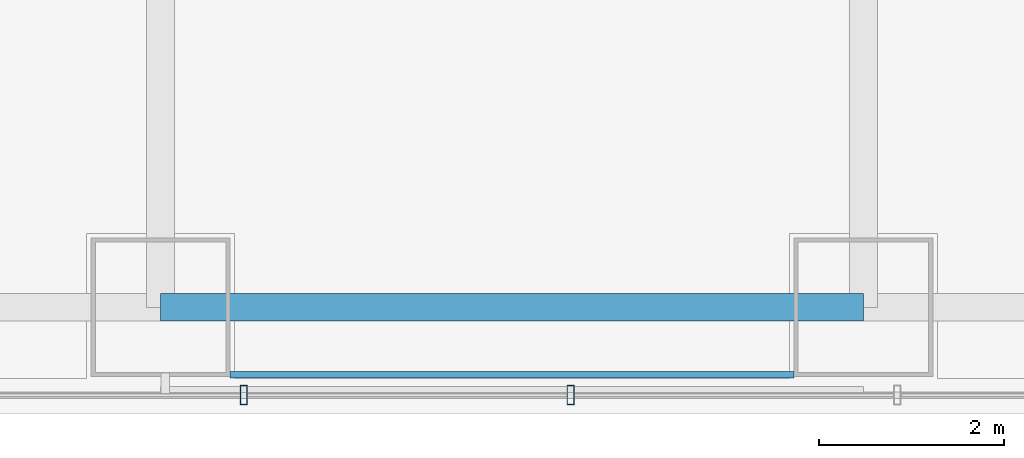
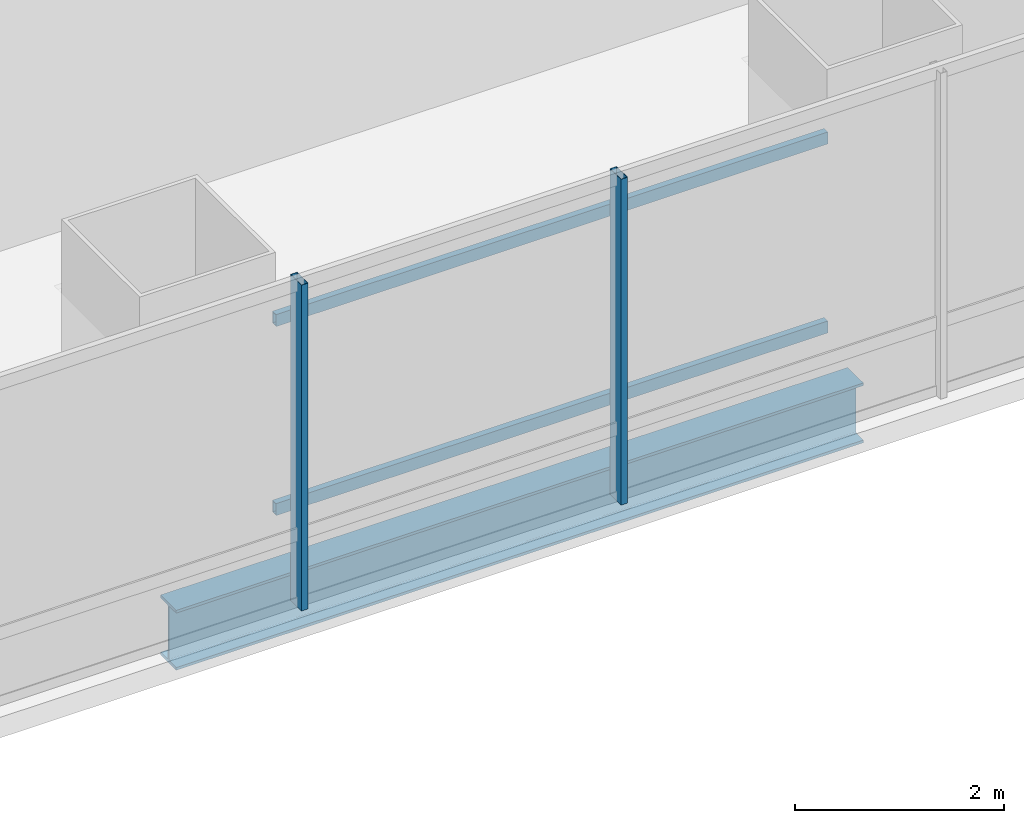
# One storey, part 5 of 34: 4 members, 1 beam, 1 element without a shape of its own.
"""IFC4 building model written with IfcOpenShell, lengths in metres."""

import ifcopenshell
import ifcopenshell.guid

model = None  # the IFC model being written
_history = None  # IfcOwnerHistory: only IFC2X3 demands one
_inside = {}  # id of a spatial element -> (the spatial element, [elements in it])
_under = {}  # id of a project, library or spatial element -> (it, [spatial elements below it])
_declared = {}  # id of a project -> (the project, [libraries it declares])
_typed = {}  # id of a type object -> (the type object, [elements of that type])
_made_of = {}  # id of a material, layer set ... -> (it, [elements and type objects made of it])


def new_model(schema):
    """Start an empty IFC model of exactly this schema.

    Asked for "IFC4X3", IfcOpenShell would pick the latest addendum, in which some entities
    have other attributes; the version numbers below select the first issue.
    IFC2X3 requires an IfcOwnerHistory on every rooted entity: one is made here for all.
    """
    global model, _history
    if schema == "IFC4X3":
        model = ifcopenshell.file(schema_version=(4, 3, 0, 0))
    else:
        model = ifcopenshell.file(schema=schema)
    _inside.clear()
    _under.clear()
    _declared.clear()
    _typed.clear()
    _made_of.clear()
    _history = None
    if model.schema == "IFC2X3":
        org = make("IfcOrganization", Name="unknown")
        user = make(
            "IfcPersonAndOrganization",
            ThePerson=make("IfcPerson", FamilyName="unknown"),
            TheOrganization=org,
        )
        app = make(
            "IfcApplication",
            ApplicationDeveloper=org,
            Version="unknown",
            ApplicationFullName="unknown",
            ApplicationIdentifier="unknown",
        )
        _history = make(
            "IfcOwnerHistory",
            OwningUser=user,
            OwningApplication=app,
            ChangeAction="ADDED",
            CreationDate=0,
        )
    return model


def make(cls, **values):
    """One entity of the class cls with the attributes given. An attribute that is None is left unset."""
    return model.create_entity(
        cls, **{name: value for name, value in values.items() if value is not None}
    )


def rooted(cls, **values):
    """An entity with a GlobalId (a new one), such as an element, a storey or a relation."""
    return make(cls, GlobalId=ifcopenshell.guid.new(), OwnerHistory=_history, **values)


def si_unit(unit_type, name, prefix=None):
    """IfcSIUnit, for example si_unit("LENGTHUNIT", "METRE", prefix="MILLI")."""
    return make("IfcSIUnit", UnitType=unit_type, Prefix=prefix, Name=name)


def assignment(units):
    """IfcUnitAssignment: the units of a project."""
    return None if units is None else make("IfcUnitAssignment", Units=units)


def point(xyz):
    """IfcCartesianPoint."""
    return None if xyz is None else make("IfcCartesianPoint", Coordinates=xyz)


def direction(xyz):
    """IfcDirection."""
    return None if xyz is None else make("IfcDirection", DirectionRatios=xyz)


def frame(location, z_axis=None, x_axis=None):
    """IfcAxis2Placement3D, a coordinate frame: its origin and axes. An axis left out is left unset."""
    return make(
        "IfcAxis2Placement3D",
        Location=point(location),
        Axis=direction(z_axis),
        RefDirection=direction(x_axis),
    )


def frame_2d(location, x_axis=None):
    """IfcAxis2Placement2D, a coordinate frame in the plane: its origin and x axis."""
    return make(
        "IfcAxis2Placement2D", Location=point(location), RefDirection=direction(x_axis)
    )


def origin():
    """The frame at (0, 0, 0) with its axes left unset."""
    return frame((0.0, 0.0, 0.0))


def origin_2d():
    """The frame at (0, 0) in the plane with its x axis left unset."""
    return frame_2d((0.0, 0.0))


def place(relative_to, where):
    """IfcLocalPlacement: puts the frame where relative to a parent placement (None: the world)."""
    return make(
        "IfcLocalPlacement", PlacementRelTo=relative_to, RelativePlacement=where
    )


def context(
    kind, dimensions, precision=None, world=None, true_north=None, identifier=None
):
    """IfcGeometricRepresentationContext, for example the 3D "Model" context."""
    return make(
        "IfcGeometricRepresentationContext",
        ContextIdentifier=identifier,
        ContextType=kind,
        CoordinateSpaceDimension=dimensions,
        Precision=precision,
        WorldCoordinateSystem=world,
        TrueNorth=true_north,
    )


def subcontext(parent, identifier, kind, view, scale=None):
    """IfcGeometricRepresentationSubContext, for example "Body" below "Model"."""
    return make(
        "IfcGeometricRepresentationSubContext",
        ContextIdentifier=identifier,
        ContextType=kind,
        ParentContext=parent,
        TargetScale=scale,
        TargetView=view,
    )


def project(units=None, contexts=None):
    """IfcProject with its units and contexts."""
    return rooted(
        "IfcProject",
        Name="project",
        RepresentationContexts=contexts,
        UnitsInContext=assignment(units),
    )


def spatial(cls, under=None, at=None, **own):
    """A site, building, storey or space (cls), placed at a placement, below another one or the project."""
    s = rooted(cls, ObjectPlacement=at, **own)
    if under is not None:
        _under.setdefault(under.id(), (under, []))[1].append(s)
    return s


def profile(cls, at=None, kind="AREA", **sizes):
    """A parametric profile (cls). Its sizes go by their IFC names, for example OverallWidth=200.0."""
    return make(cls, ProfileType=kind, Position=at, **sizes)


def hollow_rectangle(**sizes):
    """IfcRectangleHollowProfileDef."""
    return profile("IfcRectangleHollowProfileDef", **sizes)


def i_section(**sizes):
    """IfcIShapeProfileDef."""
    return profile("IfcIShapeProfileDef", **sizes)


def extrude(swept, where, along, depth):
    """IfcExtrudedAreaSolid: the profile swept, set in the frame where, extruded along a direction by depth."""
    return make(
        "IfcExtrudedAreaSolid",
        SweptArea=swept,
        Position=where,
        ExtrudedDirection=direction(along),
        Depth=depth,
    )


def shape(context_of_items, identifier, shape_type, items):
    """IfcShapeRepresentation: the items that make up one representation, for example the "Body"."""
    return make(
        "IfcShapeRepresentation",
        ContextOfItems=context_of_items,
        RepresentationIdentifier=identifier,
        RepresentationType=shape_type,
        Items=items,
    )


def material(Name=None, Category=None):
    """IfcMaterial."""
    return make("IfcMaterial", Name=Name, Category=Category)


def material_profile(
    of_material, cross_section, Name=None, Category=None, Priority=None
):
    """IfcMaterialProfile: a cross section and its material."""
    return make(
        "IfcMaterialProfile",
        Name=Name,
        Material=of_material,
        Profile=cross_section,
        Priority=Priority,
        Category=Category,
    )


def profile_set(profiles, Name=None, composite=None):
    """IfcMaterialProfileSet."""
    return make(
        "IfcMaterialProfileSet",
        Name=Name,
        MaterialProfiles=profiles,
        CompositeProfile=composite,
    )


def made_of(thing, what):
    """Note that an element or type object is made of a material, layer set ...; save() writes the relation."""
    if what is not None:
        _made_of.setdefault(what.id(), (what, []))[1].append(thing)
    return thing


def type_object(cls, material=None, **own):
    """A type object (cls), such as IfcWallType, which elements share."""
    return made_of(rooted(cls, **own), material)


def element(
    cls,
    number,
    at=None,
    inside=None,
    cuts=None,
    type_object=None,
    material=None,
    context=None,
    identifier="Body",
    shape_type=None,
    held_by="IfcProductDefinitionShape",
    body=None,
    shapes=None,
    **own,
):
    """One element of the class cls, such as IfcWall. Its Tag is "e" and its number.

    at: its placement. inside: the storey or other place that contains it. cuts: it is an
    opening in that element (IfcRelVoidsElement). A single representation is given by context,
    identifier, shape_type and body (its items); several are given by shapes. held_by: the class
    of the entity that holds the representations. save() writes the other relations.
    """
    e = rooted(cls, Tag="e%d" % number, ObjectPlacement=at, **own)
    if body is not None:
        shapes = [shape(context, identifier, shape_type, body)]
    if shapes is not None:
        e.Representation = make(held_by, Representations=shapes)
    if inside is not None:
        _inside.setdefault(inside.id(), (inside, []))[1].append(e)
    if cuts is not None:
        rooted(
            "IfcRelVoidsElement", RelatingBuildingElement=cuts, RelatedOpeningElement=e
        )
    if type_object is not None:
        _typed.setdefault(type_object.id(), (type_object, []))[1].append(e)
    return made_of(e, material)


def aggregate(whole, parts):
    """IfcRelAggregates: a whole, such as a stair, and the parts it consists of."""
    return rooted("IfcRelAggregates", RelatingObject=whole, RelatedObjects=parts)


def save(model, path):
    """Write the relations noted so far, then the file.

    IfcRelAggregates (storeys below a building ...), IfcRelContainedInSpatialStructure (elements
    in a storey), IfcRelDefinesByType, IfcRelAssociatesMaterial and IfcRelDeclares: one each for
    every whole, place, type object, material and project.
    """
    for whole, parts in _under.values():
        aggregate(whole, parts)
    for where, things in _inside.values():
        rooted(
            "IfcRelContainedInSpatialStructure",
            RelatedElements=things,
            RelatingStructure=where,
        )
    for kind, things in _typed.values():
        rooted("IfcRelDefinesByType", RelatedObjects=things, RelatingType=kind)
    for what, things in _made_of.values():
        rooted("IfcRelAssociatesMaterial", RelatedObjects=things, RelatingMaterial=what)
    for by, libraries in _declared.values():
        rooted("IfcRelDeclares", RelatingContext=by, RelatedDefinitions=libraries)
    model.write(path)


model = new_model("IFC4")

# Units and contexts
model_context = context("Model", 3, precision=1e-05, world=origin(), true_north=direction((0.0, 1.0)))
body_context = subcontext(model_context, "Body", "Model", "MODEL_VIEW")
ifc_project = project(units=[si_unit("LENGTHUNIT", "METRE"), si_unit("AREAUNIT", "SQUARE_METRE"), si_unit("VOLUMEUNIT", "CUBIC_METRE"), si_unit("PLANEANGLEUNIT", "RADIAN"), si_unit("MASSUNIT", "GRAM", prefix="KILO")], contexts=[model_context])

# Site, building, storey
site_placement = place(None, origin())
site = spatial("IfcSite", under=ifc_project, at=site_placement, CompositionType="ELEMENT")
building_placement = place(site_placement, origin())
building = spatial("IfcBuilding", under=site, at=building_placement, Name="Punatoya Terracotta Tower", CompositionType="ELEMENT")
storey_placement = place(building_placement, frame((0.0, 0.0, 97.050048828125)))
storey = spatial("IfcBuildingStorey", under=building, at=storey_placement, Name="L22", CompositionType="ELEMENT", Elevation=97.050048828125)

# Beam
ifc_material_1 = material(Name="Steel S355", Category="steel")
ifc_material_profile_1 = material_profile(ifc_material_1, i_section(OverallWidth=0.300048828125, OverallDepth=0.699951171875, WebThickness=0.01708984375, FlangeThickness=0.031982421875, FilletRadius=0.01806640625, at=origin_2d()))
ifc_profile_set_1 = profile_set([ifc_material_profile_1], Name="Steel S355")
beam_type = type_object("IfcBeamType", Name="BM-PRI-700", PredefinedType="BEAM", material=ifc_profile_set_1)
beam_placement = place(storey_placement, frame((-3.800048828125, -17.5, -0.590087890625), z_axis=(1.0, 0.0, 0.0), x_axis=(0.0, 1.0, 0.0)))
element("IfcBeam", 1, at=beam_placement, inside=storey, type_object=beam_type, Name="BM-L22-RG-S2", PredefinedType="BEAM", context=body_context, shape_type="SweptSolid", body=[
    extrude(i_section(OverallWidth=0.300048828125, OverallDepth=0.699951171875, WebThickness=0.01708984375, FlangeThickness=0.031982421875, FilletRadius=0.01806640625, at=origin_2d()), origin(), (0.0, 0.0, 1.0), 7.60009765625),
])

# Curtain wall, members
ifc_material_2 = material(Name="Aluminium 6063-T6 + Double Low-E Glass", Category="aluminium")
curtain_wall_type = type_object("IfcCurtainWallType", Name="CW-M1", PredefinedType="NOTDEFINED", material=ifc_material_2)
curtain_wall_placement = place(storey_placement, origin())
curtain_wall = element("IfcCurtainWall", 2, at=curtain_wall_placement, inside=storey, type_object=curtain_wall_type, Name="L22 Curtain Wall CW-L22-S01-1", PredefinedType="NOTDEFINED")
ifc_material_3 = material(Name="Aluminium 6063-T6", Category="aluminium")
ifc_material_profile_2 = material_profile(ifc_material_3, hollow_rectangle(XDim=0.074951171875, YDim=0.2099609375, WallThickness=0.00439453125, at=origin_2d()))
ifc_profile_set_2 = profile_set([ifc_material_profile_2], Name="Aluminium 6063-T6")
member_type_1 = type_object("IfcMemberType", Name="CW-MUL-M1", PredefinedType="MULLION", material=ifc_profile_set_2)
member_1_placement = place(storey_placement, frame((-2.90087890625, -18.449951171875, 0.0), z_axis=(0.0, 0.0, 1.0), x_axis=(1.0, 0.0, 0.0)))
member_1 = element("IfcMember", 3, at=member_1_placement, type_object=member_type_1, Name="CW-L22-S01-1 Mullion 04", PredefinedType="MULLION", context=body_context, shape_type="SweptSolid", body=[
    extrude(hollow_rectangle(XDim=0.074951171875, YDim=0.2099609375, WallThickness=0.00439453125, at=origin_2d()), origin(), (0.0, 0.0, 1.0), 3.81005859375),
])
member_2_placement = place(storey_placement, frame((0.633056640625, -18.449951171875, 0.0), z_axis=(0.0, 0.0, 1.0), x_axis=(1.0, 0.0, 0.0)))
member_2 = element("IfcMember", 4, at=member_2_placement, type_object=member_type_1, Name="CW-L22-S01-1 Mullion 05", PredefinedType="MULLION", context=body_context, shape_type="SweptSolid", body=[
    extrude(hollow_rectangle(XDim=0.074951171875, YDim=0.2099609375, WallThickness=0.00439453125, at=origin_2d()), origin(), (0.0, 0.0, 1.0), 3.81005859375),
])
aggregate(curtain_wall, [member_1, member_2])

# Members
ifc_material_profile_3 = material_profile(ifc_material_1, hollow_rectangle(XDim=0.070068359375, YDim=0.139892578125, WallThickness=0.006103515625, at=origin_2d()))
ifc_profile_set_3 = profile_set([ifc_material_profile_3], Name="Steel S355")
member_type_2 = type_object("IfcMemberType", Name="MEM-BAG-RAIL", PredefinedType="USERDEFINED", material=ifc_profile_set_3)
for number, where, z_axis, x_axis, name in (
    (5, (-3.050537109375, -18.23193359375, 1.050048828125), (1.0, 0.0, 0.0), (0.0, 1.0, 0.0), "L22 Terracotta Baguette Carrier Rail BAG-L22-S-R1"),
    (6, (-3.050537109375, -18.23193359375, 3.260009765625), (1.0, 0.0, 0.0), (0.0, 1.0, 0.0), "L22 Terracotta Baguette Carrier Rail BAG-L22-S-R2"),
):
    element("IfcMember", number, at=place(storey_placement, frame(where, z_axis=z_axis, x_axis=x_axis)), inside=storey, type_object=member_type_2, Name=name, ObjectType="BAGUETTE", PredefinedType="USERDEFINED", context=body_context, shape_type="SweptSolid", body=[
        extrude(hollow_rectangle(XDim=0.070068359375, YDim=0.139892578125, WallThickness=0.006103515625, at=origin_2d()), origin(), (0.0, 0.0, 1.0), 6.10107421875),
    ])

save(model, "model.ifc")
